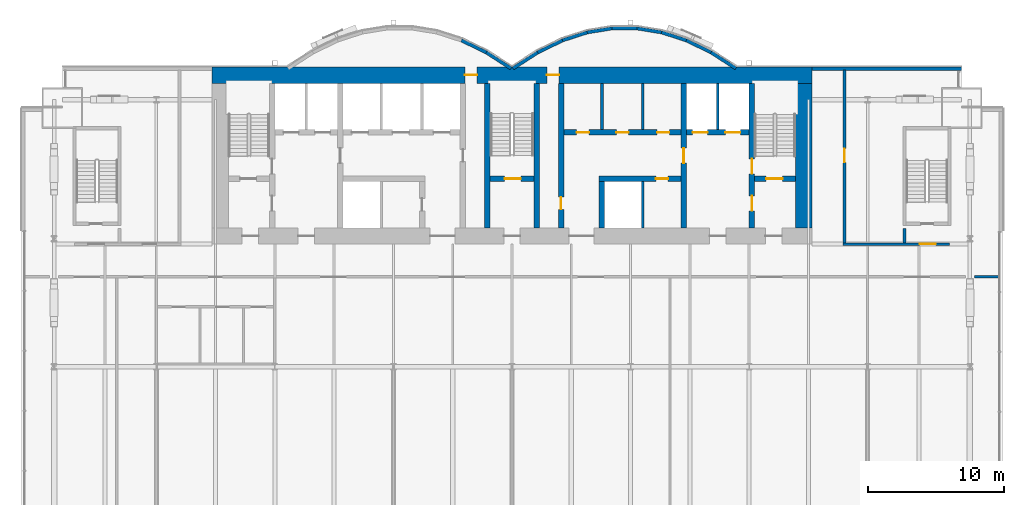
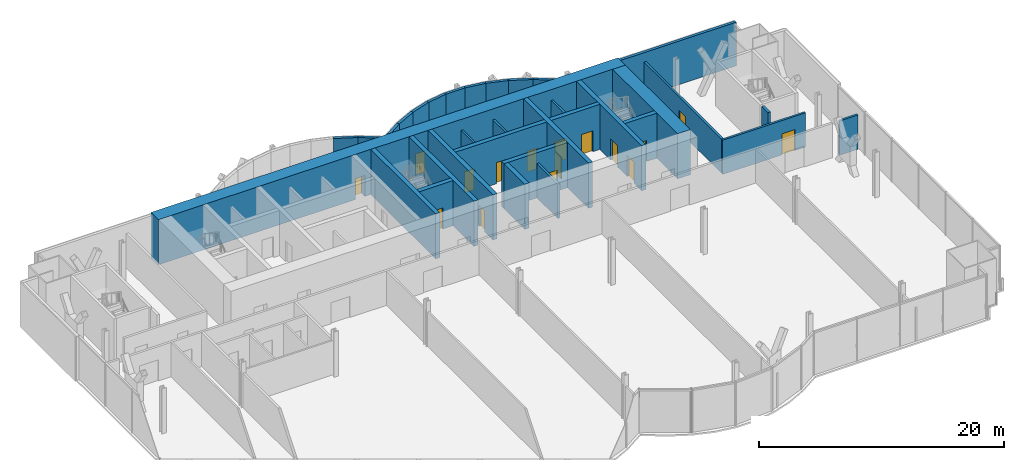
# One storey, part 17 of 22: 32 walls, 16 doors, 16 openings.
"""IFC4 building model written with IfcOpenShell, lengths in metres."""

import ifcopenshell
import ifcopenshell.guid

model = None  # the IFC model being written
_history = None  # IfcOwnerHistory: only IFC2X3 demands one
_inside = {}  # id of a spatial element -> (the spatial element, [elements in it])
_under = {}  # id of a project, library or spatial element -> (it, [spatial elements below it])
_declared = {}  # id of a project -> (the project, [libraries it declares])
_typed = {}  # id of a type object -> (the type object, [elements of that type])
_made_of = {}  # id of a material, layer set ... -> (it, [elements and type objects made of it])


def new_model(schema):
    """Start an empty IFC model of exactly this schema.

    Asked for "IFC4X3", IfcOpenShell would pick the latest addendum, in which some entities
    have other attributes; the version numbers below select the first issue.
    IFC2X3 requires an IfcOwnerHistory on every rooted entity: one is made here for all.
    """
    global model, _history
    if schema == "IFC4X3":
        model = ifcopenshell.file(schema_version=(4, 3, 0, 0))
    else:
        model = ifcopenshell.file(schema=schema)
    _inside.clear()
    _under.clear()
    _declared.clear()
    _typed.clear()
    _made_of.clear()
    _history = None
    if model.schema == "IFC2X3":
        org = make("IfcOrganization", Name="unknown")
        user = make(
            "IfcPersonAndOrganization",
            ThePerson=make("IfcPerson", FamilyName="unknown"),
            TheOrganization=org,
        )
        app = make(
            "IfcApplication",
            ApplicationDeveloper=org,
            Version="unknown",
            ApplicationFullName="unknown",
            ApplicationIdentifier="unknown",
        )
        _history = make(
            "IfcOwnerHistory",
            OwningUser=user,
            OwningApplication=app,
            ChangeAction="ADDED",
            CreationDate=0,
        )
    return model


def make(cls, **values):
    """One entity of the class cls with the attributes given. An attribute that is None is left unset."""
    return model.create_entity(
        cls, **{name: value for name, value in values.items() if value is not None}
    )


def rooted(cls, **values):
    """An entity with a GlobalId (a new one), such as an element, a storey or a relation."""
    return make(cls, GlobalId=ifcopenshell.guid.new(), OwnerHistory=_history, **values)


def si_unit(unit_type, name, prefix=None):
    """IfcSIUnit, for example si_unit("LENGTHUNIT", "METRE", prefix="MILLI")."""
    return make("IfcSIUnit", UnitType=unit_type, Prefix=prefix, Name=name)


def assignment(units):
    """IfcUnitAssignment: the units of a project."""
    return None if units is None else make("IfcUnitAssignment", Units=units)


def point(xyz):
    """IfcCartesianPoint."""
    return None if xyz is None else make("IfcCartesianPoint", Coordinates=xyz)


def direction(xyz):
    """IfcDirection."""
    return None if xyz is None else make("IfcDirection", DirectionRatios=xyz)


def frame(location, z_axis=None, x_axis=None):
    """IfcAxis2Placement3D, a coordinate frame: its origin and axes. An axis left out is left unset."""
    return make(
        "IfcAxis2Placement3D",
        Location=point(location),
        Axis=direction(z_axis),
        RefDirection=direction(x_axis),
    )


def frame_2d(location, x_axis=None):
    """IfcAxis2Placement2D, a coordinate frame in the plane: its origin and x axis."""
    return make(
        "IfcAxis2Placement2D", Location=point(location), RefDirection=direction(x_axis)
    )


def origin():
    """The frame at (0, 0, 0) with its axes left unset."""
    return frame((0.0, 0.0, 0.0))


def place(relative_to, where):
    """IfcLocalPlacement: puts the frame where relative to a parent placement (None: the world)."""
    return make(
        "IfcLocalPlacement", PlacementRelTo=relative_to, RelativePlacement=where
    )


def context(
    kind, dimensions, precision=None, world=None, true_north=None, identifier=None
):
    """IfcGeometricRepresentationContext, for example the 3D "Model" context."""
    return make(
        "IfcGeometricRepresentationContext",
        ContextIdentifier=identifier,
        ContextType=kind,
        CoordinateSpaceDimension=dimensions,
        Precision=precision,
        WorldCoordinateSystem=world,
        TrueNorth=true_north,
    )


def subcontext(parent, identifier, kind, view, scale=None):
    """IfcGeometricRepresentationSubContext, for example "Body" below "Model"."""
    return make(
        "IfcGeometricRepresentationSubContext",
        ContextIdentifier=identifier,
        ContextType=kind,
        ParentContext=parent,
        TargetScale=scale,
        TargetView=view,
    )


def project(units=None, contexts=None):
    """IfcProject with its units and contexts."""
    return rooted(
        "IfcProject",
        Name="project",
        RepresentationContexts=contexts,
        UnitsInContext=assignment(units),
    )


def spatial(cls, under=None, at=None, **own):
    """A site, building, storey or space (cls), placed at a placement, below another one or the project."""
    s = rooted(cls, ObjectPlacement=at, **own)
    if under is not None:
        _under.setdefault(under.id(), (under, []))[1].append(s)
    return s


def profile(cls, at=None, kind="AREA", **sizes):
    """A parametric profile (cls). Its sizes go by their IFC names, for example OverallWidth=200.0."""
    return make(cls, ProfileType=kind, Position=at, **sizes)


def rectangle(**sizes):
    """IfcRectangleProfileDef."""
    return profile("IfcRectangleProfileDef", **sizes)


def extrude(swept, where, along, depth):
    """IfcExtrudedAreaSolid: the profile swept, set in the frame where, extruded along a direction by depth."""
    return make(
        "IfcExtrudedAreaSolid",
        SweptArea=swept,
        Position=where,
        ExtrudedDirection=direction(along),
        Depth=depth,
    )


def shape(context_of_items, identifier, shape_type, items):
    """IfcShapeRepresentation: the items that make up one representation, for example the "Body"."""
    return make(
        "IfcShapeRepresentation",
        ContextOfItems=context_of_items,
        RepresentationIdentifier=identifier,
        RepresentationType=shape_type,
        Items=items,
    )


def material(Name=None, Category=None):
    """IfcMaterial."""
    return make("IfcMaterial", Name=Name, Category=Category)


def layer(
    of_material, thickness, ventilated=None, Name=None, Category=None, Priority=None
):
    """IfcMaterialLayer: one layer of a wall or slab, of a material (None: an air gap)."""
    return make(
        "IfcMaterialLayer",
        Material=of_material,
        LayerThickness=thickness,
        IsVentilated=ventilated,
        Name=Name,
        Category=Category,
        Priority=Priority,
    )


def layer_set(layers, Name=None):
    """IfcMaterialLayerSet."""
    return make("IfcMaterialLayerSet", MaterialLayers=layers, LayerSetName=Name)


def layer_usage(for_layer_set, set_direction, sense, offset, extent=None):
    """IfcMaterialLayerSetUsage: how a layer set lies in its element."""
    return make(
        "IfcMaterialLayerSetUsage",
        ForLayerSet=for_layer_set,
        LayerSetDirection=set_direction,
        DirectionSense=sense,
        OffsetFromReferenceLine=offset,
        ReferenceExtent=extent,
    )


def made_of(thing, what):
    """Note that an element or type object is made of a material, layer set ...; save() writes the relation."""
    if what is not None:
        _made_of.setdefault(what.id(), (what, []))[1].append(thing)
    return thing


def type_object(cls, material=None, **own):
    """A type object (cls), such as IfcWallType, which elements share."""
    return made_of(rooted(cls, **own), material)


def element(
    cls,
    number,
    at=None,
    inside=None,
    cuts=None,
    type_object=None,
    material=None,
    context=None,
    identifier="Body",
    shape_type=None,
    held_by="IfcProductDefinitionShape",
    body=None,
    shapes=None,
    **own,
):
    """One element of the class cls, such as IfcWall. Its Tag is "e" and its number.

    at: its placement. inside: the storey or other place that contains it. cuts: it is an
    opening in that element (IfcRelVoidsElement). A single representation is given by context,
    identifier, shape_type and body (its items); several are given by shapes. held_by: the class
    of the entity that holds the representations. save() writes the other relations.
    """
    e = rooted(cls, Tag="e%d" % number, ObjectPlacement=at, **own)
    if body is not None:
        shapes = [shape(context, identifier, shape_type, body)]
    if shapes is not None:
        e.Representation = make(held_by, Representations=shapes)
    if inside is not None:
        _inside.setdefault(inside.id(), (inside, []))[1].append(e)
    if cuts is not None:
        rooted(
            "IfcRelVoidsElement", RelatingBuildingElement=cuts, RelatedOpeningElement=e
        )
    if type_object is not None:
        _typed.setdefault(type_object.id(), (type_object, []))[1].append(e)
    return made_of(e, material)


def fill(opening, filler):
    """IfcRelFillsElement: the door or window that sits in an opening."""
    return rooted(
        "IfcRelFillsElement",
        RelatingOpeningElement=opening,
        RelatedBuildingElement=filler,
    )


def aggregate(whole, parts):
    """IfcRelAggregates: a whole, such as a stair, and the parts it consists of."""
    return rooted("IfcRelAggregates", RelatingObject=whole, RelatedObjects=parts)


def save(model, path):
    """Write the relations noted so far, then the file.

    IfcRelAggregates (storeys below a building ...), IfcRelContainedInSpatialStructure (elements
    in a storey), IfcRelDefinesByType, IfcRelAssociatesMaterial and IfcRelDeclares: one each for
    every whole, place, type object, material and project.
    """
    for whole, parts in _under.values():
        aggregate(whole, parts)
    for where, things in _inside.values():
        rooted(
            "IfcRelContainedInSpatialStructure",
            RelatedElements=things,
            RelatingStructure=where,
        )
    for kind, things in _typed.values():
        rooted("IfcRelDefinesByType", RelatedObjects=things, RelatingType=kind)
    for what, things in _made_of.values():
        rooted("IfcRelAssociatesMaterial", RelatedObjects=things, RelatingMaterial=what)
    for by, libraries in _declared.values():
        rooted("IfcRelDeclares", RelatingContext=by, RelatedDefinitions=libraries)
    model.write(path)


model = new_model("IFC4")

# Units and contexts
model_context = context("Model", 3, precision=1e-05, world=origin(), true_north=direction((0.0, 1.0)))
body_context = subcontext(model_context, "Body", "Model", "MODEL_VIEW")
ifc_project = project(units=[si_unit("LENGTHUNIT", "METRE"), si_unit("AREAUNIT", "SQUARE_METRE"), si_unit("VOLUMEUNIT", "CUBIC_METRE"), si_unit("PLANEANGLEUNIT", "RADIAN"), si_unit("MASSUNIT", "GRAM", prefix="KILO")], contexts=[model_context])

# Site, building, storey
site_placement = place(None, origin())
site = spatial("IfcSite", under=ifc_project, at=site_placement, CompositionType="ELEMENT")
building_placement = place(site_placement, origin())
building = spatial("IfcBuilding", under=site, at=building_placement, Name="Bicima Exchange Tower", CompositionType="ELEMENT")
storey_placement = place(building_placement, frame((0.0, 0.0, 39.5)))
storey = spatial("IfcBuildingStorey", under=building, at=storey_placement, Name="L07", CompositionType="ELEMENT", Elevation=39.5)

# Walls
ifc_material_1 = material(Name="Gypsum board partition")
ifc_layer_1 = layer(ifc_material_1, 0.199951171875)
ifc_layer_set_1 = layer_set([ifc_layer_1], Name="Gypsum board partition")
wall_type_1 = type_object("IfcWallType", Name="Fire-rated gypsum partition 200 EI120", PredefinedType="PARTITIONING", material=ifc_layer_set_1)
for number, where, z_axis, x_axis, name in (
    (1, (9.60009765625, -11.800048828125, 0.0), (0.0, 0.0, 1.0), (0.0, 1.0, 0.0), "partition wall 21"),
    (2, (15.10009765625, -4.60009765625, 0.0), (0.0, 0.0, 1.0), (0.0, 1.0, 0.0), "partition wall 24"),
):
    element("IfcWall", number, at=place(storey_placement, frame(where, z_axis=z_axis, x_axis=x_axis)), inside=storey, type_object=wall_type_1, Name=name, PredefinedType="PARTITIONING", context=body_context, shape_type="SweptSolid", body=[
        extrude(rectangle(XDim=3.400146484375, YDim=0.199951171875, at=frame_2d((1.7001953125, 0.0))), origin(), (0.0, 0.0, 1.0), 3.418212890625),
    ])
ifc_layer_2 = layer(ifc_material_1, 0.199951171875)
ifc_layer_set_2 = layer_set([ifc_layer_2], Name="Gypsum board partition")
wall_type_2 = type_object("IfcWallType", Name="Fire-rated gypsum partition 200 EI60", PredefinedType="PARTITIONING", material=ifc_layer_set_2)
wall_1_placement = place(storey_placement, frame((33.929931640625, -15.39990234375, 0.0), z_axis=(0.0, 0.0, 1.0), x_axis=(1.0, 0.0, 0.0)))
element("IfcWall", 3, at=wall_1_placement, inside=storey, type_object=wall_type_2, Name="partition wall 5", PredefinedType="PARTITIONING", context=body_context, shape_type="SweptSolid", body=[
    extrude(rectangle(XDim=1.75, YDim=0.199951171875, at=frame_2d((0.875, 0.0))), origin(), (0.0, 0.0, 1.0), 3.418212890625),
])

# Wall, opening, door
wall_2_placement = place(storey_placement, frame((24.300048828125, -13.0, 0.0), z_axis=(0.0, 0.0, 1.0), x_axis=(1.0, 0.0, 0.0)))
wall_2 = element("IfcWall", 4, at=wall_2_placement, inside=storey, type_object=wall_type_2, Name="partition wall 7", PredefinedType="PARTITIONING", context=body_context, shape_type="SweptSolid", body=[
    extrude(rectangle(XDim=7.800048828125, YDim=0.199951171875, at=frame_2d((3.89990234375, 0.0))), origin(), (0.0, 0.0, 1.0), 3.418212890625),
])
opening_1_placement = place(wall_2_placement, frame((5.60009765625, 0.0, 0.0)))
opening_1 = element("IfcOpeningElement", 5, at=opening_1_placement, cuts=wall_2, Name="Opening L07-003", PredefinedType="OPENING", context=body_context, shape_type="SweptSolid", body=[
    extrude(rectangle(XDim=1.199951171875, YDim=2.10009765625, at=frame_2d((0.60009765625, 1.050048828125))), frame((0.0, 0.11181640625, 0.0), z_axis=(0.0, -1.0, 0.0), x_axis=(1.0, 0.0, 0.0)), (0.0, 0.0, 1.0), 0.223876953125),
])
ifc_material_2 = material(Name="Steel fire door leaf", Category="steel")
door_type_1 = type_object("IfcDoorType", Name="Door 1200 swing FD30S", OperationType="SINGLE_SWING_LEFT", PredefinedType="DOOR", material=ifc_material_2)
door_1_placement = place(opening_1_placement, origin())
door_1 = element("IfcDoor", 6, at=door_1_placement, inside=storey, type_object=door_type_1, Name="Door", OperationType="SINGLE_SWING_RIGHT", OverallHeight=2.10009765625, OverallWidth=1.199951171875, PredefinedType="DOOR", context=body_context, shape_type="SweptSolid", body=[
    extrude(rectangle(XDim=1.199951171875, YDim=2.10009765625, at=frame_2d((0.60009765625, 1.050048828125))), frame((0.0, 0.02490234375, 0.0), z_axis=(0.0, -1.0, 0.0), x_axis=(1.0, 0.0, 0.0)), (0.0, 0.0, 1.0), 0.050048828125),
])
fill(opening_1, door_1)

wall_3_placement = place(storey_placement, frame((24.39990234375, -12.89990234375, 0.0), z_axis=(0.0, 0.0, 1.0), x_axis=(0.0, 1.0, 0.0)))
wall_3 = element("IfcWall", 7, at=wall_3_placement, inside=storey, type_object=wall_type_2, Name="partition wall 26", PredefinedType="PARTITIONING", context=body_context, shape_type="SweptSolid", body=[
    extrude(rectangle(XDim=12.68994140625, YDim=0.199951171875, at=frame_2d((6.344970703125, 0.0))), origin(), (0.0, 0.0, 1.0), 3.418212890625),
])
opening_2_placement = place(wall_3_placement, frame((5.89990234375, 0.0, 0.0)))
opening_2 = element("IfcOpeningElement", 8, at=opening_2_placement, cuts=wall_3, Name="Opening L07-006", PredefinedType="OPENING", context=body_context, shape_type="SweptSolid", body=[
    extrude(rectangle(XDim=1.0, YDim=2.10009765625, at=frame_2d((0.5, 1.050048828125))), frame((0.0, 0.11181640625, 0.0), z_axis=(0.0, -1.0, 0.0), x_axis=(1.0, 0.0, 0.0)), (0.0, 0.0, 1.0), 0.223876953125),
])
door_type_2 = type_object("IfcDoorType", Name="Door 1000 swing FD30S", OperationType="SINGLE_SWING_LEFT", PredefinedType="DOOR", material=ifc_material_2)
door_2_placement = place(opening_2_placement, frame((1.0, 0.0, 0.0), z_axis=(0.0, 0.0, 1.0), x_axis=(-1.0, 0.0, 0.0)))
door_2 = element("IfcDoor", 9, at=door_2_placement, inside=storey, type_object=door_type_2, Name="Door", OperationType="SINGLE_SWING_RIGHT", OverallHeight=2.10009765625, OverallWidth=1.0, PredefinedType="DOOR", context=body_context, shape_type="SweptSolid", body=[
    extrude(rectangle(XDim=1.0, YDim=2.10009765625, at=frame_2d((0.5, 1.050048828125))), frame((0.0, 0.02490234375, 0.0), z_axis=(0.0, -1.0, 0.0), x_axis=(1.0, 0.0, 0.0)), (0.0, 0.0, 1.0), 0.050048828125),
])
fill(opening_2, door_2)

# Walls
for number, where, z_axis, x_axis, name in (
    (10, (6.60009765625, -4.60009765625, 0.0), (0.0, 0.0, 1.0), (0.0, 1.0, 0.0), "partition wall 20"),
    (11, (9.60009765625, -4.60009765625, 0.0), (0.0, 0.0, 1.0), (0.0, 1.0, 0.0), "partition wall 22"),
):
    element("IfcWall", number, at=place(storey_placement, frame(where, z_axis=z_axis, x_axis=x_axis)), inside=storey, type_object=wall_type_2, Name=name, PredefinedType="PARTITIONING", context=body_context, shape_type="SweptSolid", body=[
        extrude(rectangle(XDim=3.400146484375, YDim=0.199951171875, at=frame_2d((1.7001953125, 0.0))), origin(), (0.0, 0.0, 1.0), 3.418212890625),
    ])

# Wall, openings, doors
ifc_material_3 = material(Name="Concrete C60/75", Category="concrete")
ifc_layer_3 = layer(ifc_material_3, 1.199951171875)
ifc_layer_set_3 = layer_set([ifc_layer_3], Name="Concrete C60/75")
wall_type_3 = type_object("IfcWallType", Name="RC core wall 1200 C60/75", PredefinedType="SHEAR", material=ifc_layer_set_3)
wall_4_placement = place(storey_placement, frame((-22.0, -0.60009765625, 0.0), z_axis=(0.0, 0.0, 1.0), x_axis=(1.0, 0.0, 0.0)))
wall_4 = element("IfcWall", 12, at=wall_4_placement, inside=storey, type_object=wall_type_3, Name="Core wall north", PredefinedType="SHEAR", context=body_context, shape_type="SweptSolid", body=[
    extrude(rectangle(XDim=44.0, YDim=1.199951171875, at=frame_2d((22.0, 0.0))), origin(), (0.0, 0.0, 1.0), 4.5),
])
opening_3_placement = place(wall_4_placement, frame((18.550048828125, 0.0, 0.0)))
opening_3 = element("IfcOpeningElement", 13, at=opening_3_placement, cuts=wall_4, Name="Opening L07-C17", PredefinedType="OPENING", context=body_context, shape_type="SweptSolid", body=[
    extrude(rectangle(XDim=0.89990234375, YDim=2.10009765625, at=frame_2d((0.449951171875, 1.050048828125))), frame((0.0, 0.61181640625, 0.0), z_axis=(0.0, -1.0, 0.0), x_axis=(1.0, 0.0, 0.0)), (0.0, 0.0, 1.0), 1.223876953125),
])
opening_4_placement = place(wall_4_placement, frame((24.550048828125, 0.0, 0.0)))
opening_4 = element("IfcOpeningElement", 14, at=opening_4_placement, cuts=wall_4, Name="Opening L07-C18", PredefinedType="OPENING", context=body_context, shape_type="SweptSolid", body=[
    extrude(rectangle(XDim=0.89990234375, YDim=2.10009765625, at=frame_2d((0.449951171875, 1.050048828125))), frame((0.0, 0.61181640625, 0.0), z_axis=(0.0, -1.0, 0.0), x_axis=(1.0, 0.0, 0.0)), (0.0, 0.0, 1.0), 1.223876953125),
])
door_type_3 = type_object("IfcDoorType", Name="Door 900 swing FD30S", OperationType="SINGLE_SWING_LEFT", PredefinedType="DOOR", material=ifc_material_2)
door_3_placement = place(opening_3_placement, origin())
door_3 = element("IfcDoor", 15, at=door_3_placement, inside=storey, type_object=door_type_3, Name="Core door", OperationType="SINGLE_SWING_LEFT", OverallHeight=2.10009765625, OverallWidth=0.89990234375, PredefinedType="DOOR", context=body_context, shape_type="SweptSolid", body=[
    extrude(rectangle(XDim=0.89990234375, YDim=2.10009765625, at=frame_2d((0.449951171875, 1.050048828125))), frame((0.0, 0.02490234375, 0.0), z_axis=(0.0, -1.0, 0.0), x_axis=(1.0, 0.0, 0.0)), (0.0, 0.0, 1.0), 0.050048828125),
])
fill(opening_3, door_3)
door_4_placement = place(opening_4_placement, origin())
door_4 = element("IfcDoor", 16, at=door_4_placement, inside=storey, type_object=door_type_3, Name="Core door", OperationType="SINGLE_SWING_LEFT", OverallHeight=2.10009765625, OverallWidth=0.89990234375, PredefinedType="DOOR", context=body_context, shape_type="SweptSolid", body=[
    extrude(rectangle(XDim=0.89990234375, YDim=2.10009765625, at=frame_2d((0.449951171875, 1.050048828125))), frame((0.0, 0.02490234375, 0.0), z_axis=(0.0, -1.0, 0.0), x_axis=(1.0, 0.0, 0.0)), (0.0, 0.0, 1.0), 0.050048828125),
])
fill(opening_4, door_4)

# Walls
wall_5_placement = place(storey_placement, frame((21.39990234375, -11.800048828125, 0.0), z_axis=(0.0, 0.0, 1.0), x_axis=(0.0, 1.0, 0.0)))
element("IfcWall", 17, at=wall_5_placement, inside=storey, type_object=wall_type_3, Name="Core wall east", PredefinedType="SHEAR", context=body_context, shape_type="SweptSolid", body=[
    extrude(rectangle(XDim=10.60009765625, YDim=1.199951171875, at=frame_2d((5.300048828125, 0.0))), origin(), (0.0, 0.0, 1.0), 4.5),
])
ifc_material_4 = material(Name="Concrete C50/60", Category="concrete")
ifc_layer_4 = layer(ifc_material_4, 0.25)
ifc_layer_set_4 = layer_set([ifc_layer_4], Name="Concrete C50/60")
wall_type_4 = type_object("IfcWallType", Name="RC core wall 250 C50/60", PredefinedType="SHEAR", material=ifc_layer_set_4)
wall_6_placement = place(storey_placement, frame((28.800048828125, -12.89990234375, 0.0), z_axis=(0.0, 0.0, 1.0), x_axis=(0.0, 1.0, 0.0)))
element("IfcWall", 18, at=wall_6_placement, inside=storey, type_object=wall_type_4, Name="stair wall 28", PredefinedType="SHEAR", context=body_context, shape_type="SweptSolid", body=[
    extrude(rectangle(XDim=1.0498046875, YDim=0.25, at=frame_2d((0.52490234375, 0.0))), origin(), (0.0, 0.0, 1.0), 4.5),
])

# Wall, opening, door
ifc_layer_5 = layer(ifc_material_4, 0.39990234375)
ifc_layer_set_5 = layer_set([ifc_layer_5], Name="Concrete C50/60")
wall_type_5 = type_object("IfcWallType", Name="RC core wall 400 C50/60", PredefinedType="SHEAR", material=ifc_layer_set_5)
wall_7_placement = place(storey_placement, frame((-1.60009765625, -8.199951171875, 0.0), z_axis=(0.0, 0.0, 1.0), x_axis=(1.0, 0.0, 0.0)))
wall_7 = element("IfcWall", 19, at=wall_7_placement, inside=storey, type_object=wall_type_5, Name="stair wall 3", PredefinedType="SHEAR", context=body_context, shape_type="SweptSolid", body=[
    extrude(rectangle(XDim=3.2001953125, YDim=0.39990234375, at=frame_2d((1.60009765625, 0.0))), origin(), (0.0, 0.0, 1.0), 4.5),
])
opening_5_placement = place(wall_7_placement, frame((1.050048828125, 0.0, 0.0)))
opening_5 = element("IfcOpeningElement", 20, at=opening_5_placement, cuts=wall_7, Name="Opening L07-C03", PredefinedType="OPENING", context=body_context, shape_type="SweptSolid", body=[
    extrude(rectangle(XDim=1.199951171875, YDim=2.10009765625, at=frame_2d((0.60009765625, 1.050048828125))), frame((0.0, 0.2119140625, 0.0), z_axis=(0.0, -1.0, 0.0), x_axis=(1.0, 0.0, 0.0)), (0.0, 0.0, 1.0), 0.423828125),
])
door_type_4 = type_object("IfcDoorType", Name="Door 1200 swing FD60S", OperationType="SINGLE_SWING_LEFT", PredefinedType="DOOR", material=ifc_material_2)
door_5_placement = place(opening_5_placement, origin())
door_5 = element("IfcDoor", 21, at=door_5_placement, inside=storey, type_object=door_type_4, Name="Core door", OperationType="SINGLE_SWING_LEFT", OverallHeight=2.10009765625, OverallWidth=1.199951171875, PredefinedType="DOOR", context=body_context, shape_type="SweptSolid", body=[
    extrude(rectangle(XDim=1.199951171875, YDim=2.10009765625, at=frame_2d((0.60009765625, 1.050048828125))), frame((0.0, 0.02490234375, 0.0), z_axis=(0.0, -1.0, 0.0), x_axis=(1.0, 0.0, 0.0)), (0.0, 0.0, 1.0), 0.050048828125),
])
fill(opening_5, door_5)

wall_8_placement = place(storey_placement, frame((17.800048828125, -8.199951171875, 0.0), z_axis=(0.0, 0.0, 1.0), x_axis=(1.0, 0.0, 0.0)))
wall_8 = element("IfcWall", 22, at=wall_8_placement, inside=storey, type_object=wall_type_5, Name="stair wall 5", PredefinedType="SHEAR", context=body_context, shape_type="SweptSolid", body=[
    extrude(rectangle(XDim=3.0, YDim=0.39990234375, at=frame_2d((1.5, 0.0))), origin(), (0.0, 0.0, 1.0), 4.5),
])
opening_6_placement = place(wall_8_placement, frame((0.85009765625, 0.0, 0.0)))
opening_6 = element("IfcOpeningElement", 23, at=opening_6_placement, cuts=wall_8, Name="Opening L07-C04", PredefinedType="OPENING", context=body_context, shape_type="SweptSolid", body=[
    extrude(rectangle(XDim=1.199951171875, YDim=2.10009765625, at=frame_2d((0.60009765625, 1.050048828125))), frame((0.0, 0.2119140625, 0.0), z_axis=(0.0, -1.0, 0.0), x_axis=(1.0, 0.0, 0.0)), (0.0, 0.0, 1.0), 0.423828125),
])
door_6_placement = place(opening_6_placement, origin())
door_6 = element("IfcDoor", 24, at=door_6_placement, inside=storey, type_object=door_type_4, Name="Core door", OperationType="SINGLE_SWING_RIGHT", OverallHeight=2.10009765625, OverallWidth=1.199951171875, PredefinedType="DOOR", context=body_context, shape_type="SweptSolid", body=[
    extrude(rectangle(XDim=1.199951171875, YDim=2.10009765625, at=frame_2d((0.60009765625, 1.050048828125))), frame((0.0, 0.02490234375, 0.0), z_axis=(0.0, -1.0, 0.0), x_axis=(1.0, 0.0, 0.0)), (0.0, 0.0, 1.0), 0.050048828125),
])
fill(opening_6, door_6)

# Walls
for number, where, z_axis, x_axis, name in (
    (25, (-1.800048828125, -11.800048828125, 0.0), (0.0, 0.0, 1.0), (0.0, 1.0, 0.0), "stair wall 16"),
    (26, (1.800048828125, -11.800048828125, 0.0), (0.0, 0.0, 1.0), (0.0, 1.0, 0.0), "stair wall 17"),
):
    element("IfcWall", number, at=place(storey_placement, frame(where, z_axis=z_axis, x_axis=x_axis)), inside=storey, type_object=wall_type_5, Name=name, PredefinedType="SHEAR", context=body_context, shape_type="SweptSolid", body=[
        extrude(rectangle(XDim=10.60009765625, YDim=0.39990234375, at=frame_2d((5.300048828125, 0.0))), origin(), (0.0, 0.0, 1.0), 4.5),
    ])

# Wall, openings, doors
wall_9_placement = place(storey_placement, frame((17.60009765625, -11.800048828125, 0.0), z_axis=(0.0, 0.0, 1.0), x_axis=(0.0, 1.0, 0.0)))
wall_9 = element("IfcWall", 27, at=wall_9_placement, inside=storey, type_object=wall_type_5, Name="stair wall 25", PredefinedType="SHEAR", context=body_context, shape_type="SweptSolid", body=[
    extrude(rectangle(XDim=10.60009765625, YDim=0.39990234375, at=frame_2d((5.300048828125, 0.0))), origin(), (0.0, 0.0, 1.0), 4.5),
])
opening_7_placement = place(wall_9_placement, frame((1.25, 0.0, 0.0)))
opening_7 = element("IfcOpeningElement", 28, at=opening_7_placement, cuts=wall_9, Name="Opening L07-C05", PredefinedType="OPENING", context=body_context, shape_type="SweptSolid", body=[
    extrude(rectangle(XDim=1.10009765625, YDim=2.10009765625, at=frame_2d((0.550048828125, 1.050048828125))), frame((0.0, 0.2119140625, 0.0), z_axis=(0.0, -1.0, 0.0), x_axis=(1.0, 0.0, 0.0)), (0.0, 0.0, 1.0), 0.423828125),
])
opening_8_placement = place(wall_9_placement, frame((3.949951171875, 0.0, 0.0)))
opening_8 = element("IfcOpeningElement", 29, at=opening_8_placement, cuts=wall_9, Name="Opening L07-C08", PredefinedType="OPENING", context=body_context, shape_type="SweptSolid", body=[
    extrude(rectangle(XDim=1.10009765625, YDim=2.10009765625, at=frame_2d((0.550048828125, 1.050048828125))), frame((0.0, 0.2119140625, 0.0), z_axis=(0.0, -1.0, 0.0), x_axis=(1.0, 0.0, 0.0)), (0.0, 0.0, 1.0), 0.423828125),
])
door_type_5 = type_object("IfcDoorType", Name="Door 1100 swing FD60S", OperationType="SINGLE_SWING_LEFT", PredefinedType="DOOR", material=ifc_material_2)
door_7_placement = place(opening_7_placement, origin())
door_7 = element("IfcDoor", 30, at=door_7_placement, inside=storey, type_object=door_type_5, Name="Core door", OperationType="SINGLE_SWING_LEFT", OverallHeight=2.10009765625, OverallWidth=1.10009765625, PredefinedType="DOOR", context=body_context, shape_type="SweptSolid", body=[
    extrude(rectangle(XDim=1.10009765625, YDim=2.10009765625, at=frame_2d((0.550048828125, 1.050048828125))), frame((0.0, 0.02490234375, 0.0), z_axis=(0.0, -1.0, 0.0), x_axis=(1.0, 0.0, 0.0)), (0.0, 0.0, 1.0), 0.050048828125),
])
fill(opening_7, door_7)
door_8_placement = place(opening_8_placement, origin())
door_8 = element("IfcDoor", 31, at=door_8_placement, inside=storey, type_object=door_type_5, Name="Core door", OperationType="SINGLE_SWING_RIGHT", OverallHeight=2.10009765625, OverallWidth=1.10009765625, PredefinedType="DOOR", context=body_context, shape_type="SweptSolid", body=[
    extrude(rectangle(XDim=1.10009765625, YDim=2.10009765625, at=frame_2d((0.550048828125, 1.050048828125))), frame((0.0, 0.02490234375, 0.0), z_axis=(0.0, -1.0, 0.0), x_axis=(1.0, 0.0, 0.0)), (0.0, 0.0, 1.0), 0.050048828125),
])
fill(opening_8, door_8)

# Wall, opening, door
ifc_layer_6 = layer(ifc_material_3, 0.39990234375)
ifc_layer_set_6 = layer_set([ifc_layer_6], Name="Concrete C60/75")
wall_type_6 = type_object("IfcWallType", Name="RC core wall 400 C60/75", PredefinedType="SHEAR", material=ifc_layer_set_6)
wall_10_placement = place(storey_placement, frame((6.39990234375, -8.199951171875, 0.0), z_axis=(0.0, 0.0, 1.0), x_axis=(1.0, 0.0, 0.0)))
wall_10 = element("IfcWall", 32, at=wall_10_placement, inside=storey, type_object=wall_type_6, Name="shear wall 4", PredefinedType="SHEAR", context=body_context, shape_type="SweptSolid", body=[
    extrude(rectangle(XDim=6.0, YDim=0.39990234375, at=frame_2d((3.0, 0.0))), origin(), (0.0, 0.0, 1.0), 4.5),
])
opening_9_placement = place(wall_10_placement, frame((4.14990234375, 0.0, 0.0)))
opening_9 = element("IfcOpeningElement", 33, at=opening_9_placement, cuts=wall_10, Name="Opening L07-C16", PredefinedType="OPENING", context=body_context, shape_type="SweptSolid", body=[
    extrude(rectangle(XDim=0.89990234375, YDim=2.10009765625, at=frame_2d((0.449951171875, 1.050048828125))), frame((0.0, 0.2119140625, 0.0), z_axis=(0.0, -1.0, 0.0), x_axis=(1.0, 0.0, 0.0)), (0.0, 0.0, 1.0), 0.423828125),
])
door_9_placement = place(opening_9_placement, frame((0.89990234375, 0.0, 0.0), z_axis=(0.0, 0.0, 1.0), x_axis=(-1.0, 0.0, 0.0)))
door_9 = element("IfcDoor", 34, at=door_9_placement, inside=storey, type_object=door_type_3, Name="Core door", OperationType="SINGLE_SWING_LEFT", OverallHeight=2.10009765625, OverallWidth=0.89990234375, PredefinedType="DOOR", context=body_context, shape_type="SweptSolid", body=[
    extrude(rectangle(XDim=0.89990234375, YDim=2.10009765625, at=frame_2d((0.449951171875, 1.050048828125))), frame((0.0, 0.02490234375, 0.0), z_axis=(0.0, -1.0, 0.0), x_axis=(1.0, 0.0, 0.0)), (0.0, 0.0, 1.0), 0.050048828125),
])
fill(opening_9, door_9)

# Wall, openings, doors
wall_11_placement = place(storey_placement, frame((3.800048828125, -4.800048828125, 0.0), z_axis=(0.0, 0.0, 1.0), x_axis=(1.0, 0.0, 0.0)))
wall_11 = element("IfcWall", 35, at=wall_11_placement, inside=storey, type_object=wall_type_6, Name="shear wall 7", PredefinedType="SHEAR", context=body_context, shape_type="SweptSolid", body=[
    extrude(rectangle(XDim=13.599853515625, YDim=0.39990234375, at=frame_2d((6.7998046875, 0.0))), origin(), (0.0, 0.0, 1.0), 4.5),
])
opening_10_placement = place(wall_11_placement, frame((9.449951171875, 0.0, 0.0)))
opening_10 = element("IfcOpeningElement", 36, at=opening_10_placement, cuts=wall_11, Name="Opening LD-FF2-L07", PredefinedType="OPENING", context=body_context, shape_type="SweptSolid", body=[
    extrude(rectangle(XDim=1.10009765625, YDim=2.10009765625, at=frame_2d((0.550048828125, 1.050048828125))), frame((0.0, 0.2119140625, 0.0), z_axis=(0.0, -1.0, 0.0), x_axis=(1.0, 0.0, 0.0)), (0.0, 0.0, 1.0), 0.423828125),
])
opening_11_placement = place(wall_11_placement, frame((11.85009765625, 0.0, 0.0)))
opening_11 = element("IfcOpeningElement", 37, at=opening_11_placement, cuts=wall_11, Name="Opening LD-SV1-L07", PredefinedType="OPENING", context=body_context, shape_type="SweptSolid", body=[
    extrude(rectangle(XDim=1.10009765625, YDim=2.10009765625, at=frame_2d((0.550048828125, 1.050048828125))), frame((0.0, 0.2119140625, 0.0), z_axis=(0.0, -1.0, 0.0), x_axis=(1.0, 0.0, 0.0)), (0.0, 0.0, 1.0), 0.423828125),
])
opening_12_placement = place(wall_11_placement, frame((0.949951171875, 0.0, 0.0)))
opening_12 = element("IfcOpeningElement", 38, at=opening_12_placement, cuts=wall_11, Name="Opening L07-C12", PredefinedType="OPENING", context=body_context, shape_type="SweptSolid", body=[
    extrude(rectangle(XDim=0.89990234375, YDim=2.10009765625, at=frame_2d((0.449951171875, 1.050048828125))), frame((0.0, 0.2119140625, 0.0), z_axis=(0.0, -1.0, 0.0), x_axis=(1.0, 0.0, 0.0)), (0.0, 0.0, 1.0), 0.423828125),
])
opening_13_placement = place(wall_11_placement, frame((3.85009765625, 0.0, 0.0)))
opening_13 = element("IfcOpeningElement", 39, at=opening_13_placement, cuts=wall_11, Name="Opening L07-C13", PredefinedType="OPENING", context=body_context, shape_type="SweptSolid", body=[
    extrude(rectangle(XDim=0.89990234375, YDim=2.10009765625, at=frame_2d((0.449951171875, 1.050048828125))), frame((0.0, 0.2119140625, 0.0), z_axis=(0.0, -1.0, 0.0), x_axis=(1.0, 0.0, 0.0)), (0.0, 0.0, 1.0), 0.423828125),
])
opening_14_placement = place(wall_11_placement, frame((6.85009765625, 0.0, 0.0)))
opening_14 = element("IfcOpeningElement", 40, at=opening_14_placement, cuts=wall_11, Name="Opening L07-C14", PredefinedType="OPENING", context=body_context, shape_type="SweptSolid", body=[
    extrude(rectangle(XDim=0.89990234375, YDim=2.10009765625, at=frame_2d((0.449951171875, 1.050048828125))), frame((0.0, 0.2119140625, 0.0), z_axis=(0.0, -1.0, 0.0), x_axis=(1.0, 0.0, 0.0)), (0.0, 0.0, 1.0), 0.423828125),
])
door_10_placement = place(opening_12_placement, origin())
door_10 = element("IfcDoor", 41, at=door_10_placement, inside=storey, type_object=door_type_3, Name="Core door", OperationType="SINGLE_SWING_RIGHT", OverallHeight=2.10009765625, OverallWidth=0.89990234375, PredefinedType="DOOR", context=body_context, shape_type="SweptSolid", body=[
    extrude(rectangle(XDim=0.89990234375, YDim=2.10009765625, at=frame_2d((0.449951171875, 1.050048828125))), frame((0.0, 0.02490234375, 0.0), z_axis=(0.0, -1.0, 0.0), x_axis=(1.0, 0.0, 0.0)), (0.0, 0.0, 1.0), 0.050048828125),
])
fill(opening_12, door_10)
door_11_placement = place(opening_13_placement, origin())
door_11 = element("IfcDoor", 42, at=door_11_placement, inside=storey, type_object=door_type_3, Name="Core door", OperationType="SINGLE_SWING_LEFT", OverallHeight=2.10009765625, OverallWidth=0.89990234375, PredefinedType="DOOR", context=body_context, shape_type="SweptSolid", body=[
    extrude(rectangle(XDim=0.89990234375, YDim=2.10009765625, at=frame_2d((0.449951171875, 1.050048828125))), frame((0.0, 0.02490234375, 0.0), z_axis=(0.0, -1.0, 0.0), x_axis=(1.0, 0.0, 0.0)), (0.0, 0.0, 1.0), 0.050048828125),
])
fill(opening_13, door_11)
door_12_placement = place(opening_14_placement, origin())
door_12 = element("IfcDoor", 43, at=door_12_placement, inside=storey, type_object=door_type_3, Name="Core door", OperationType="SINGLE_SWING_RIGHT", OverallHeight=2.10009765625, OverallWidth=0.89990234375, PredefinedType="DOOR", context=body_context, shape_type="SweptSolid", body=[
    extrude(rectangle(XDim=0.89990234375, YDim=2.10009765625, at=frame_2d((0.449951171875, 1.050048828125))), frame((0.0, 0.02490234375, 0.0), z_axis=(0.0, -1.0, 0.0), x_axis=(1.0, 0.0, 0.0)), (0.0, 0.0, 1.0), 0.050048828125),
])
fill(opening_14, door_12)
ifc_material_5 = material(Name="Stainless steel", Category="steel")
door_type_6 = type_object("IfcDoorType", Name="Lift landing door 1100 sliding", OperationType="DOUBLE_DOOR_SLIDING", PredefinedType="DOOR", material=ifc_material_5)
door_13_placement = place(opening_10_placement, origin())
door_13 = element("IfcDoor", 44, at=door_13_placement, inside=storey, type_object=door_type_6, Name="Lift landing door FF2", OperationType="DOUBLE_DOOR_SLIDING", OverallHeight=2.10009765625, OverallWidth=1.10009765625, PredefinedType="DOOR", context=body_context, shape_type="SweptSolid", body=[
    extrude(rectangle(XDim=1.10009765625, YDim=2.10009765625, at=frame_2d((0.550048828125, 1.050048828125))), frame((0.0, 0.02490234375, 0.0), z_axis=(0.0, -1.0, 0.0), x_axis=(1.0, 0.0, 0.0)), (0.0, 0.0, 1.0), 0.050048828125),
])
fill(opening_10, door_13)
door_14_placement = place(opening_11_placement, origin())
door_14 = element("IfcDoor", 45, at=door_14_placement, inside=storey, type_object=door_type_6, Name="Lift landing door SV1", OperationType="DOUBLE_DOOR_SLIDING", OverallHeight=2.10009765625, OverallWidth=1.10009765625, PredefinedType="DOOR", context=body_context, shape_type="SweptSolid", body=[
    extrude(rectangle(XDim=1.10009765625, YDim=2.10009765625, at=frame_2d((0.550048828125, 1.050048828125))), frame((0.0, 0.02490234375, 0.0), z_axis=(0.0, -1.0, 0.0), x_axis=(1.0, 0.0, 0.0)), (0.0, 0.0, 1.0), 0.050048828125),
])
fill(opening_11, door_14)

# Wall, opening, door
wall_12_placement = place(storey_placement, frame((3.60009765625, -11.800048828125, 0.0), z_axis=(0.0, 0.0, 1.0), x_axis=(0.0, 1.0, 0.0)))
wall_12 = element("IfcWall", 46, at=wall_12_placement, inside=storey, type_object=wall_type_6, Name="shear wall 18", PredefinedType="SHEAR", context=body_context, shape_type="SweptSolid", body=[
    extrude(rectangle(XDim=10.60009765625, YDim=0.39990234375, at=frame_2d((5.300048828125, 0.0))), origin(), (0.0, 0.0, 1.0), 4.5),
])
opening_15_placement = place(wall_12_placement, frame((1.35009765625, 0.0, 0.0)))
opening_15 = element("IfcOpeningElement", 47, at=opening_15_placement, cuts=wall_12, Name="Opening L07-C11", PredefinedType="OPENING", context=body_context, shape_type="SweptSolid", body=[
    extrude(rectangle(XDim=0.89990234375, YDim=2.10009765625, at=frame_2d((0.449951171875, 1.050048828125))), frame((0.0, 0.2119140625, 0.0), z_axis=(0.0, -1.0, 0.0), x_axis=(1.0, 0.0, 0.0)), (0.0, 0.0, 1.0), 0.423828125),
])
door_15_placement = place(opening_15_placement, origin())
door_15 = element("IfcDoor", 48, at=door_15_placement, inside=storey, type_object=door_type_3, Name="Core door", OperationType="SINGLE_SWING_LEFT", OverallHeight=2.10009765625, OverallWidth=0.89990234375, PredefinedType="DOOR", context=body_context, shape_type="SweptSolid", body=[
    extrude(rectangle(XDim=0.89990234375, YDim=2.10009765625, at=frame_2d((0.449951171875, 1.050048828125))), frame((0.0, 0.02490234375, 0.0), z_axis=(0.0, -1.0, 0.0), x_axis=(1.0, 0.0, 0.0)), (0.0, 0.0, 1.0), 0.050048828125),
])
fill(opening_15, door_15)

# Wall
wall_13_placement = place(storey_placement, frame((6.60009765625, -11.800048828125, 0.0), z_axis=(0.0, 0.0, 1.0), x_axis=(0.0, 1.0, 0.0)))
element("IfcWall", 49, at=wall_13_placement, inside=storey, type_object=wall_type_6, Name="shear wall 19", PredefinedType="SHEAR", context=body_context, shape_type="SweptSolid", body=[
    extrude(rectangle(XDim=3.400146484375, YDim=0.39990234375, at=frame_2d((1.7001953125, 0.0))), origin(), (0.0, 0.0, 1.0), 4.5),
])

# Wall, opening, door
wall_14_placement = place(storey_placement, frame((12.60009765625, -11.800048828125, 0.0), z_axis=(0.0, 0.0, 1.0), x_axis=(0.0, 1.0, 0.0)))
wall_14 = element("IfcWall", 50, at=wall_14_placement, inside=storey, type_object=wall_type_6, Name="shear wall 23", PredefinedType="SHEAR", context=body_context, shape_type="SweptSolid", body=[
    extrude(rectangle(XDim=10.60009765625, YDim=0.39990234375, at=frame_2d((5.300048828125, 0.0))), origin(), (0.0, 0.0, 1.0), 4.5),
])
opening_16_placement = place(wall_14_placement, frame((4.75, 0.0, 0.0)))
opening_16 = element("IfcOpeningElement", 51, at=opening_16_placement, cuts=wall_14, Name="Opening L07-C09", PredefinedType="OPENING", context=body_context, shape_type="SweptSolid", body=[
    extrude(rectangle(XDim=1.10009765625, YDim=2.10009765625, at=frame_2d((0.550048828125, 1.050048828125))), frame((0.0, 0.2119140625, 0.0), z_axis=(0.0, -1.0, 0.0), x_axis=(1.0, 0.0, 0.0)), (0.0, 0.0, 1.0), 0.423828125),
])
door_16_placement = place(opening_16_placement, frame((1.10009765625, 0.0, 0.0), z_axis=(0.0, 0.0, 1.0), x_axis=(-1.0, 0.0, 0.0)))
door_16 = element("IfcDoor", 52, at=door_16_placement, inside=storey, type_object=door_type_5, Name="Core door", OperationType="SINGLE_SWING_RIGHT", OverallHeight=2.10009765625, OverallWidth=1.10009765625, PredefinedType="DOOR", context=body_context, shape_type="SweptSolid", body=[
    extrude(rectangle(XDim=1.10009765625, YDim=2.10009765625, at=frame_2d((0.550048828125, 1.050048828125))), frame((0.0, 0.02490234375, 0.0), z_axis=(0.0, -1.0, 0.0), x_axis=(1.0, 0.0, 0.0)), (0.0, 0.0, 1.0), 0.050048828125),
])
fill(opening_16, door_16)

# Walls
ifc_material_6 = material(Name="Concrete C40/50", Category="concrete")
ifc_layer_7 = layer(ifc_material_6, 0.25)
ifc_layer_set_7 = layer_set([ifc_layer_7], Name="Concrete C40/50")
ifc_layer_usage = layer_usage(ifc_layer_set_7, "AXIS2", "POSITIVE", -0.125)
wall_type_7 = type_object("IfcWallType", Name="Rear backup wall 250", PredefinedType="STANDARD", material=ifc_layer_set_7)
wall_15_placement = place(storey_placement, frame((33.0, -0.125, 0.0), z_axis=(0.0, 0.0, 1.0), x_axis=(-1.0, 0.0, 0.0)))
element("IfcWall", 53, at=wall_15_placement, inside=storey, type_object=wall_type_7, material=ifc_layer_usage, Name="Rear backup wall L07 1", PredefinedType="STANDARD", context=body_context, shape_type="SweptSolid", body=[
    extrude(rectangle(XDim=11.0, YDim=0.25, at=frame_2d((5.5, 0.0))), origin(), (0.0, 0.0, 1.0), 4.35009765625),
])
wall_16_placement = place(storey_placement, frame((16.43212890625, -0.10498046875, 0.0), z_axis=(0.0, 0.0, 1.0), x_axis=(-0.83981312244, 0.542875602121, 0.0)))
element("IfcWall", 54, at=wall_16_placement, inside=storey, type_object=wall_type_7, material=ifc_layer_usage, Name="Rear backup wall L07 2", PredefinedType="STANDARD", context=body_context, shape_type="SweptSolid", body=[
    extrude(rectangle(XDim=2.182861328125, YDim=0.25, at=frame_2d((1.09130859375, 0.0))), origin(), (0.0, 0.0, 1.0), 4.35009765625),
])
wall_17_placement = place(storey_placement, frame((14.6123046875, 1.07275390625, 0.0), z_axis=(0.0, 0.0, 1.0), x_axis=(-0.89982408427, 0.436252928206, 0.0)))
element("IfcWall", 55, at=wall_17_placement, inside=storey, type_object=wall_type_7, material=ifc_layer_usage, Name="Rear backup wall L07 3", PredefinedType="STANDARD", context=body_context, shape_type="SweptSolid", body=[
    extrude(rectangle(XDim=2.03759765625, YDim=0.25, at=frame_2d((1.018798828125, 0.0))), origin(), (0.0, 0.0, 1.0), 4.35009765625),
])
wall_18_placement = place(storey_placement, frame((12.794921875, 1.955078125, 0.0), z_axis=(0.0, 0.0, 1.0), x_axis=(-0.951495806175, 0.307661714928, 0.0)))
element("IfcWall", 56, at=wall_18_placement, inside=storey, type_object=wall_type_7, material=ifc_layer_usage, Name="Rear backup wall L07 4", PredefinedType="STANDARD", context=body_context, shape_type="SweptSolid", body=[
    extrude(rectangle(XDim=1.9267578125, YDim=0.25, at=frame_2d((0.96337890625, 0.0))), origin(), (0.0, 0.0, 1.0), 4.35009765625),
])
wall_19_placement = place(storey_placement, frame((10.97998046875, 2.543212890625, 0.0), z_axis=(0.0, 0.0, 1.0), x_axis=(-0.987181718931, 0.159600293885, 0.0)))
element("IfcWall", 57, at=wall_19_placement, inside=storey, type_object=wall_type_7, material=ifc_layer_usage, Name="Rear backup wall L07 5", PredefinedType="STANDARD", context=body_context, shape_type="SweptSolid", body=[
    extrude(rectangle(XDim=1.857177734375, YDim=0.25, at=frame_2d((0.9287109375, 0.0))), origin(), (0.0, 0.0, 1.0), 4.35009765625),
])
wall_20_placement = place(storey_placement, frame((9.166748046875, 2.837890625, 0.0), z_axis=(0.0, 0.0, 1.0), x_axis=(-1.0, 0.0, 0.0)))
element("IfcWall", 58, at=wall_20_placement, inside=storey, type_object=wall_type_7, material=ifc_layer_usage, Name="Rear backup wall L07 6", PredefinedType="STANDARD", context=body_context, shape_type="SweptSolid", body=[
    extrude(rectangle(XDim=1.83349609375, YDim=0.25, at=frame_2d((0.916748046875, 0.0))), origin(), (0.0, 0.0, 1.0), 4.35009765625),
])
wall_21_placement = place(storey_placement, frame((7.353271484375, 2.839599609375, 0.0), z_axis=(0.0, 0.0, 1.0), x_axis=(-0.987181718931, -0.159600293885, 0.0)))
element("IfcWall", 59, at=wall_21_placement, inside=storey, type_object=wall_type_7, material=ifc_layer_usage, Name="Rear backup wall L07 7", PredefinedType="STANDARD", context=body_context, shape_type="SweptSolid", body=[
    extrude(rectangle(XDim=1.857177734375, YDim=0.25, at=frame_2d((0.9287109375, 0.0))), origin(), (0.0, 0.0, 1.0), 4.35009765625),
])
wall_22_placement = place(storey_placement, frame((5.538330078125, 2.5478515625, 0.0), z_axis=(0.0, 0.0, 1.0), x_axis=(-0.951495806175, -0.307661714928, 0.0)))
element("IfcWall", 60, at=wall_22_placement, inside=storey, type_object=wall_type_7, material=ifc_layer_usage, Name="Rear backup wall L07 8", PredefinedType="STANDARD", context=body_context, shape_type="SweptSolid", body=[
    extrude(rectangle(XDim=1.9267578125, YDim=0.25, at=frame_2d((0.96337890625, 0.0))), origin(), (0.0, 0.0, 1.0), 4.35009765625),
])
wall_23_placement = place(storey_placement, frame((3.72119140625, 1.961669921875, 0.0), z_axis=(0.0, 0.0, 1.0), x_axis=(-0.89982408427, -0.436252928206, 0.0)))
element("IfcWall", 61, at=wall_23_placement, inside=storey, type_object=wall_type_7, material=ifc_layer_usage, Name="Rear backup wall L07 9", PredefinedType="STANDARD", context=body_context, shape_type="SweptSolid", body=[
    extrude(rectangle(XDim=2.03759765625, YDim=0.25, at=frame_2d((1.018798828125, 0.0))), origin(), (0.0, 0.0, 1.0), 4.35009765625),
])
for number, where, z_axis, x_axis, name in (
    (62, (1.901123046875, 1.080078125, 0.0), (0.0, 0.0, 1.0), (-0.83981312244, -0.542875602121, 0.0), "Rear backup wall L07 10"),
    (63, (-0.06787109375, -0.10498046875, 0.0), (0.0, 0.0, 1.0), (-0.83981312244, 0.542875602121, 0.0), "Rear backup wall L07 11"),
):
    element("IfcWall", number, at=place(storey_placement, frame(where, z_axis=z_axis, x_axis=x_axis)), inside=storey, type_object=wall_type_7, material=ifc_layer_usage, Name=name, PredefinedType="STANDARD", context=body_context, shape_type="SweptSolid", body=[
        extrude(rectangle(XDim=2.182861328125, YDim=0.25, at=frame_2d((1.09130859375, 0.0))), origin(), (0.0, 0.0, 1.0), 4.35009765625),
    ])
wall_24_placement = place(storey_placement, frame((-1.8876953125, 1.07275390625, 0.0), z_axis=(0.0, 0.0, 1.0), x_axis=(-0.89982408427, 0.436252928206, 0.0)))
element("IfcWall", 64, at=wall_24_placement, inside=storey, type_object=wall_type_7, material=ifc_layer_usage, Name="Rear backup wall L07 12", PredefinedType="STANDARD", context=body_context, shape_type="SweptSolid", body=[
    extrude(rectangle(XDim=2.03759765625, YDim=0.25, at=frame_2d((1.018798828125, 0.0))), origin(), (0.0, 0.0, 1.0), 4.35009765625),
])

save(model, "model.ifc")
